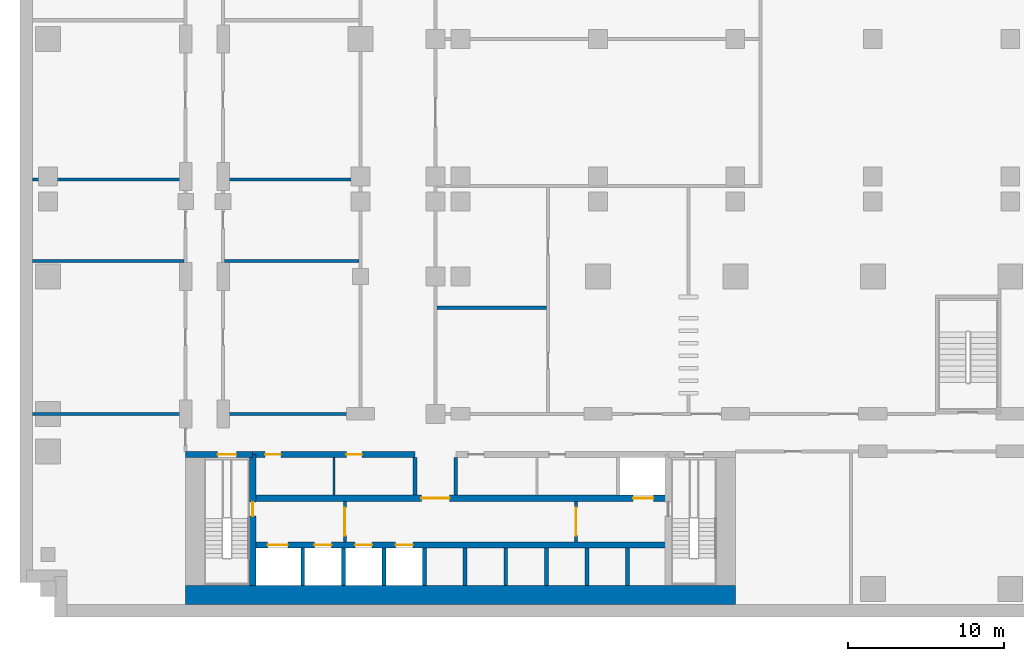
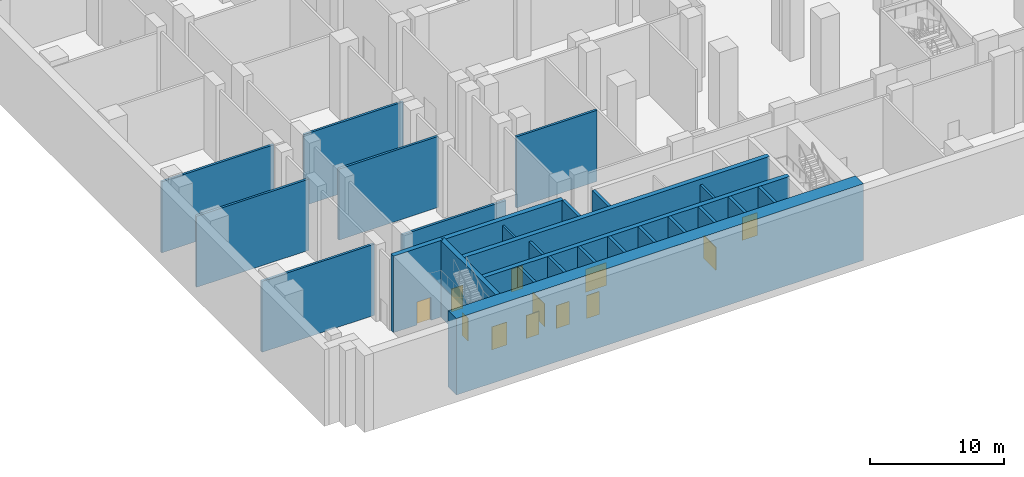
# One storey, part 3 of 15: 27 walls, 12 doors, 12 openings.
"""IFC4 building model written with IfcOpenShell, lengths in metres."""

import ifcopenshell
import ifcopenshell.guid

model = None  # the IFC model being written
_history = None  # IfcOwnerHistory: only IFC2X3 demands one
_inside = {}  # id of a spatial element -> (the spatial element, [elements in it])
_under = {}  # id of a project, library or spatial element -> (it, [spatial elements below it])
_declared = {}  # id of a project -> (the project, [libraries it declares])
_typed = {}  # id of a type object -> (the type object, [elements of that type])
_made_of = {}  # id of a material, layer set ... -> (it, [elements and type objects made of it])


def new_model(schema):
    """Start an empty IFC model of exactly this schema.

    Asked for "IFC4X3", IfcOpenShell would pick the latest addendum, in which some entities
    have other attributes; the version numbers below select the first issue.
    IFC2X3 requires an IfcOwnerHistory on every rooted entity: one is made here for all.
    """
    global model, _history
    if schema == "IFC4X3":
        model = ifcopenshell.file(schema_version=(4, 3, 0, 0))
    else:
        model = ifcopenshell.file(schema=schema)
    _inside.clear()
    _under.clear()
    _declared.clear()
    _typed.clear()
    _made_of.clear()
    _history = None
    if model.schema == "IFC2X3":
        org = make("IfcOrganization", Name="unknown")
        user = make(
            "IfcPersonAndOrganization",
            ThePerson=make("IfcPerson", FamilyName="unknown"),
            TheOrganization=org,
        )
        app = make(
            "IfcApplication",
            ApplicationDeveloper=org,
            Version="unknown",
            ApplicationFullName="unknown",
            ApplicationIdentifier="unknown",
        )
        _history = make(
            "IfcOwnerHistory",
            OwningUser=user,
            OwningApplication=app,
            ChangeAction="ADDED",
            CreationDate=0,
        )
    return model


def make(cls, **values):
    """One entity of the class cls with the attributes given. An attribute that is None is left unset."""
    return model.create_entity(
        cls, **{name: value for name, value in values.items() if value is not None}
    )


def rooted(cls, **values):
    """An entity with a GlobalId (a new one), such as an element, a storey or a relation."""
    return make(cls, GlobalId=ifcopenshell.guid.new(), OwnerHistory=_history, **values)


def si_unit(unit_type, name, prefix=None):
    """IfcSIUnit, for example si_unit("LENGTHUNIT", "METRE", prefix="MILLI")."""
    return make("IfcSIUnit", UnitType=unit_type, Prefix=prefix, Name=name)


def assignment(units):
    """IfcUnitAssignment: the units of a project."""
    return None if units is None else make("IfcUnitAssignment", Units=units)


def point(xyz):
    """IfcCartesianPoint."""
    return None if xyz is None else make("IfcCartesianPoint", Coordinates=xyz)


def direction(xyz):
    """IfcDirection."""
    return None if xyz is None else make("IfcDirection", DirectionRatios=xyz)


def frame(location, z_axis=None, x_axis=None):
    """IfcAxis2Placement3D, a coordinate frame: its origin and axes. An axis left out is left unset."""
    return make(
        "IfcAxis2Placement3D",
        Location=point(location),
        Axis=direction(z_axis),
        RefDirection=direction(x_axis),
    )


def frame_2d(location, x_axis=None):
    """IfcAxis2Placement2D, a coordinate frame in the plane: its origin and x axis."""
    return make(
        "IfcAxis2Placement2D", Location=point(location), RefDirection=direction(x_axis)
    )


def origin():
    """The frame at (0, 0, 0) with its axes left unset."""
    return frame((0.0, 0.0, 0.0))


def place(relative_to, where):
    """IfcLocalPlacement: puts the frame where relative to a parent placement (None: the world)."""
    return make(
        "IfcLocalPlacement", PlacementRelTo=relative_to, RelativePlacement=where
    )


def context(
    kind, dimensions, precision=None, world=None, true_north=None, identifier=None
):
    """IfcGeometricRepresentationContext, for example the 3D "Model" context."""
    return make(
        "IfcGeometricRepresentationContext",
        ContextIdentifier=identifier,
        ContextType=kind,
        CoordinateSpaceDimension=dimensions,
        Precision=precision,
        WorldCoordinateSystem=world,
        TrueNorth=true_north,
    )


def subcontext(parent, identifier, kind, view, scale=None):
    """IfcGeometricRepresentationSubContext, for example "Body" below "Model"."""
    return make(
        "IfcGeometricRepresentationSubContext",
        ContextIdentifier=identifier,
        ContextType=kind,
        ParentContext=parent,
        TargetScale=scale,
        TargetView=view,
    )


def project(units=None, contexts=None):
    """IfcProject with its units and contexts."""
    return rooted(
        "IfcProject",
        Name="project",
        RepresentationContexts=contexts,
        UnitsInContext=assignment(units),
    )


def spatial(cls, under=None, at=None, **own):
    """A site, building, storey or space (cls), placed at a placement, below another one or the project."""
    s = rooted(cls, ObjectPlacement=at, **own)
    if under is not None:
        _under.setdefault(under.id(), (under, []))[1].append(s)
    return s


def profile(cls, at=None, kind="AREA", **sizes):
    """A parametric profile (cls). Its sizes go by their IFC names, for example OverallWidth=200.0."""
    return make(cls, ProfileType=kind, Position=at, **sizes)


def rectangle(**sizes):
    """IfcRectangleProfileDef."""
    return profile("IfcRectangleProfileDef", **sizes)


def extrude(swept, where, along, depth):
    """IfcExtrudedAreaSolid: the profile swept, set in the frame where, extruded along a direction by depth."""
    return make(
        "IfcExtrudedAreaSolid",
        SweptArea=swept,
        Position=where,
        ExtrudedDirection=direction(along),
        Depth=depth,
    )


def shape(context_of_items, identifier, shape_type, items):
    """IfcShapeRepresentation: the items that make up one representation, for example the "Body"."""
    return make(
        "IfcShapeRepresentation",
        ContextOfItems=context_of_items,
        RepresentationIdentifier=identifier,
        RepresentationType=shape_type,
        Items=items,
    )


def material(Name=None, Category=None):
    """IfcMaterial."""
    return make("IfcMaterial", Name=Name, Category=Category)


def layer(
    of_material, thickness, ventilated=None, Name=None, Category=None, Priority=None
):
    """IfcMaterialLayer: one layer of a wall or slab, of a material (None: an air gap)."""
    return make(
        "IfcMaterialLayer",
        Material=of_material,
        LayerThickness=thickness,
        IsVentilated=ventilated,
        Name=Name,
        Category=Category,
        Priority=Priority,
    )


def layer_set(layers, Name=None):
    """IfcMaterialLayerSet."""
    return make("IfcMaterialLayerSet", MaterialLayers=layers, LayerSetName=Name)


def made_of(thing, what):
    """Note that an element or type object is made of a material, layer set ...; save() writes the relation."""
    if what is not None:
        _made_of.setdefault(what.id(), (what, []))[1].append(thing)
    return thing


def type_object(cls, material=None, **own):
    """A type object (cls), such as IfcWallType, which elements share."""
    return made_of(rooted(cls, **own), material)


def element(
    cls,
    number,
    at=None,
    inside=None,
    cuts=None,
    type_object=None,
    material=None,
    context=None,
    identifier="Body",
    shape_type=None,
    held_by="IfcProductDefinitionShape",
    body=None,
    shapes=None,
    **own,
):
    """One element of the class cls, such as IfcWall. Its Tag is "e" and its number.

    at: its placement. inside: the storey or other place that contains it. cuts: it is an
    opening in that element (IfcRelVoidsElement). A single representation is given by context,
    identifier, shape_type and body (its items); several are given by shapes. held_by: the class
    of the entity that holds the representations. save() writes the other relations.
    """
    e = rooted(cls, Tag="e%d" % number, ObjectPlacement=at, **own)
    if body is not None:
        shapes = [shape(context, identifier, shape_type, body)]
    if shapes is not None:
        e.Representation = make(held_by, Representations=shapes)
    if inside is not None:
        _inside.setdefault(inside.id(), (inside, []))[1].append(e)
    if cuts is not None:
        rooted(
            "IfcRelVoidsElement", RelatingBuildingElement=cuts, RelatedOpeningElement=e
        )
    if type_object is not None:
        _typed.setdefault(type_object.id(), (type_object, []))[1].append(e)
    return made_of(e, material)


def fill(opening, filler):
    """IfcRelFillsElement: the door or window that sits in an opening."""
    return rooted(
        "IfcRelFillsElement",
        RelatingOpeningElement=opening,
        RelatedBuildingElement=filler,
    )


def aggregate(whole, parts):
    """IfcRelAggregates: a whole, such as a stair, and the parts it consists of."""
    return rooted("IfcRelAggregates", RelatingObject=whole, RelatedObjects=parts)


def save(model, path):
    """Write the relations noted so far, then the file.

    IfcRelAggregates (storeys below a building ...), IfcRelContainedInSpatialStructure (elements
    in a storey), IfcRelDefinesByType, IfcRelAssociatesMaterial and IfcRelDeclares: one each for
    every whole, place, type object, material and project.
    """
    for whole, parts in _under.values():
        aggregate(whole, parts)
    for where, things in _inside.values():
        rooted(
            "IfcRelContainedInSpatialStructure",
            RelatedElements=things,
            RelatingStructure=where,
        )
    for kind, things in _typed.values():
        rooted("IfcRelDefinesByType", RelatedObjects=things, RelatingType=kind)
    for what, things in _made_of.values():
        rooted("IfcRelAssociatesMaterial", RelatedObjects=things, RelatingMaterial=what)
    for by, libraries in _declared.values():
        rooted("IfcRelDeclares", RelatingContext=by, RelatedDefinitions=libraries)
    model.write(path)


model = new_model("IFC4")

# Units and contexts
model_context = context("Model", 3, precision=1e-05, world=origin(), true_north=direction((0.0, 1.0)))
body_context = subcontext(model_context, "Body", "Model", "MODEL_VIEW")
ifc_project = project(units=[si_unit("LENGTHUNIT", "METRE"), si_unit("AREAUNIT", "SQUARE_METRE"), si_unit("VOLUMEUNIT", "CUBIC_METRE"), si_unit("PLANEANGLEUNIT", "RADIAN"), si_unit("MASSUNIT", "GRAM", prefix="KILO")], contexts=[model_context])

# Site, building, storey
site_placement = place(None, origin())
site = spatial("IfcSite", under=ifc_project, at=site_placement, CompositionType="ELEMENT")
building_placement = place(site_placement, origin())
building = spatial("IfcBuilding", under=site, at=building_placement, Name="Kemantara Hotel Tower", CompositionType="ELEMENT")
storey_placement = place(building_placement, frame((0.0, 0.0, -7.0)))
storey = spatial("IfcBuildingStorey", under=building, at=storey_placement, Name="B1", CompositionType="ELEMENT", Elevation=-7.0)

# Walls
ifc_material_1 = material(Name="Concrete fc 70 MPa", Category="concrete")
ifc_layer_1 = layer(ifc_material_1, 1.199951171875)
ifc_layer_set_1 = layer_set([ifc_layer_1], Name="Concrete fc 70 MPa")
wall_type_1 = type_object("IfcWallType", Name="CORE WALL 1200 FC70", PredefinedType="SHEAR", material=ifc_layer_set_1)
wall_1_placement = place(storey_placement, frame((9.800048828125, 0.60009765625, 0.0), z_axis=(0.0, 0.0, 1.0), x_axis=(1.0, 0.0, 0.0)))
element("IfcWall", 1, at=wall_1_placement, inside=storey, type_object=wall_type_1, Name="CORE WALL CW-S", PredefinedType="SHEAR", context=body_context, shape_type="SweptSolid", body=[
    extrude(rectangle(XDim=35.199951171875, YDim=1.199951171875, at=frame_2d((17.60009765625, 0.0))), origin(), (0.0, 0.0, 1.0), 7.0),
])
ifc_layer_2 = layer(ifc_material_1, 0.25)
ifc_layer_set_2 = layer_set([ifc_layer_2], Name="Concrete fc 70 MPa")
wall_type_2 = type_object("IfcWallType", Name="CORE WALL 250 FC70", PredefinedType="SHEAR", material=ifc_layer_set_2)
for number, where, z_axis, x_axis, name in (
    (2, (17.300048828125, 1.199951171875, 0.0), (0.0, 0.0, 1.0), (0.0, 1.0, 0.0), "CORE WALL CW-DS17.3"),
    (3, (19.89990234375, 1.199951171875, 0.0), (0.0, 0.0, 1.0), (0.0, 1.0, 0.0), "CORE WALL CW-DS19.9"),
    (4, (22.5, 1.199951171875, 0.0), (0.0, 0.0, 1.0), (0.0, 1.0, 0.0), "CORE WALL CW-DS22.5"),
    (5, (25.10009765625, 1.199951171875, 0.0), (0.0, 0.0, 1.0), (0.0, 1.0, 0.0), "CORE WALL CW-DS25.1"),
    (6, (27.699951171875, 1.199951171875, 0.0), (0.0, 0.0, 1.0), (0.0, 1.0, 0.0), "CORE WALL CW-DS27.7"),
    (7, (30.300048828125, 1.199951171875, 0.0), (0.0, 0.0, 1.0), (0.0, 1.0, 0.0), "CORE WALL CW-DS30.3"),
    (8, (32.89990234375, 1.199951171875, 0.0), (0.0, 0.0, 1.0), (0.0, 1.0, 0.0), "CORE WALL CW-DS32.9"),
    (9, (35.5, 1.199951171875, 0.0), (0.0, 0.0, 1.0), (0.0, 1.0, 0.0), "CORE WALL CW-DS35.5"),
    (10, (38.10009765625, 1.199951171875, 0.0), (0.0, 0.0, 1.0), (0.0, 1.0, 0.0), "CORE WALL CW-DS38.1"),
):
    element("IfcWall", number, at=place(storey_placement, frame(where, z_axis=z_axis, x_axis=x_axis)), inside=storey, type_object=wall_type_2, Name=name, PredefinedType="SHEAR", context=body_context, shape_type="SweptSolid", body=[
        extrude(rectangle(XDim=2.400146484375, YDim=0.25, at=frame_2d((1.2001953125, 0.0))), origin(), (0.0, 0.0, 1.0), 7.0),
    ])
for number, where, z_axis, x_axis, name in (
    (11, (24.5, 7.0, 0.0), (0.0, 0.0, 1.0), (0.0, 1.0, 0.0), "CORE WALL CW-DN24.5"),
    (12, (27.10009765625, 7.0, 0.0), (0.0, 0.0, 1.0), (0.0, 1.0, 0.0), "CORE WALL CW-DN27.1"),
):
    element("IfcWall", number, at=place(storey_placement, frame(where, z_axis=z_axis, x_axis=x_axis)), inside=storey, type_object=wall_type_2, Name=name, PredefinedType="SHEAR", context=body_context, shape_type="SweptSolid", body=[
        extrude(rectangle(XDim=2.39990234375, YDim=0.25, at=frame_2d((1.199951171875, 0.0))), origin(), (0.0, 0.0, 1.0), 7.0),
    ])

# Wall, opening, door
ifc_layer_3 = layer(ifc_material_1, 0.39990234375)
ifc_layer_set_3 = layer_set([ifc_layer_3], Name="Concrete fc 70 MPa")
wall_type_3 = type_object("IfcWallType", Name="CORE WALL 400 FC70", PredefinedType="SHEAR", material=ifc_layer_set_3)
wall_2_placement = place(storey_placement, frame((9.800048828125, 9.60009765625, 0.0), z_axis=(0.0, 0.0, 1.0), x_axis=(1.0, 0.0, 0.0)))
wall_2 = element("IfcWall", 13, at=wall_2_placement, inside=storey, type_object=wall_type_3, Name="CORE WALL CW-N1", PredefinedType="SHEAR", context=body_context, shape_type="SweptSolid", body=[
    extrude(rectangle(XDim=4.300048828125, YDim=0.39990234375, at=frame_2d((2.14990234375, 0.0))), origin(), (0.0, 0.0, 1.0), 7.0),
])
opening_1_placement = place(wall_2_placement, frame((2.050048828125, 0.0, 0.0)))
opening_1 = element("IfcOpeningElement", 14, at=opening_1_placement, cuts=wall_2, Name="Opening C02-ST1-C", PredefinedType="OPENING", context=body_context, shape_type="SweptSolid", body=[
    extrude(rectangle(XDim=1.199951171875, YDim=2.10009765625, at=frame_2d((0.60009765625, 1.050048828125))), frame((0.0, 0.2099609375, 0.0), z_axis=(0.0, -1.0, 0.0), x_axis=(1.0, 0.0, 0.0)), (0.0, 0.0, 1.0), 0.419921875),
])
ifc_material_2 = material(Name="Steel fire door", Category="steel")
door_type_1 = type_object("IfcDoorType", Name="Fire door FD90 1200 x 2100", OperationType="NOTDEFINED", PredefinedType="DOOR", material=ifc_material_2)
door_1_placement = place(opening_1_placement, frame((1.199951171875, 0.0, 0.0), z_axis=(0.0, 0.0, 1.0), x_axis=(-1.0, 0.0, 0.0)))
door_1 = element("IfcDoor", 15, at=door_1_placement, inside=storey, type_object=door_type_1, Name="Stair ST1 door to corridor", OperationType="SINGLE_SWING_LEFT", OverallHeight=2.10009765625, OverallWidth=1.199951171875, PredefinedType="DOOR", context=body_context, shape_type="SweptSolid", body=[
    extrude(rectangle(XDim=1.199951171875, YDim=2.10009765625, at=frame_2d((0.60009765625, 1.050048828125))), frame((0.0, 0.02490234375, 0.0), z_axis=(0.0, -1.0, 0.0), x_axis=(1.0, 0.0, 0.0)), (0.0, 0.0, 1.0), 0.050048828125),
])
fill(opening_1, door_1)

# Wall, openings, doors
wall_3_placement = place(storey_placement, frame((14.10009765625, 9.60009765625, 0.0), z_axis=(0.0, 0.0, 1.0), x_axis=(1.0, 0.0, 0.0)))
wall_3 = element("IfcWall", 16, at=wall_3_placement, inside=storey, type_object=wall_type_3, Name="CORE WALL CW-NN1", PredefinedType="SHEAR", context=body_context, shape_type="SweptSolid", body=[
    extrude(rectangle(XDim=10.39990234375, YDim=0.39990234375, at=frame_2d((5.199951171875, 0.0))), origin(), (0.0, 0.0, 1.0), 7.0),
])
opening_2_placement = place(wall_3_placement, frame((0.800048828125, 0.0, 0.0)))
opening_2 = element("IfcOpeningElement", 17, at=opening_2_placement, cuts=wall_3, Name="Opening C02-R-NW1", PredefinedType="OPENING", context=body_context, shape_type="SweptSolid", body=[
    extrude(rectangle(XDim=1.0, YDim=2.10009765625, at=frame_2d((0.5, 1.050048828125))), frame((0.0, 0.2099609375, 0.0), z_axis=(0.0, -1.0, 0.0), x_axis=(1.0, 0.0, 0.0)), (0.0, 0.0, 1.0), 0.419921875),
])
opening_3_placement = place(wall_3_placement, frame((6.0, 0.0, 0.0)))
opening_3 = element("IfcOpeningElement", 18, at=opening_3_placement, cuts=wall_3, Name="Opening C02-R-NW2", PredefinedType="OPENING", context=body_context, shape_type="SweptSolid", body=[
    extrude(rectangle(XDim=1.0, YDim=2.10009765625, at=frame_2d((0.5, 1.050048828125))), frame((0.0, 0.2099609375, 0.0), z_axis=(0.0, -1.0, 0.0), x_axis=(1.0, 0.0, 0.0)), (0.0, 0.0, 1.0), 0.419921875),
])
door_type_2 = type_object("IfcDoorType", Name="Fire door FD30S 1000 x 2100", OperationType="NOTDEFINED", PredefinedType="DOOR", material=ifc_material_2)
door_2_placement = place(opening_3_placement, frame((1.0, 0.0, 0.0), z_axis=(0.0, 0.0, 1.0), x_axis=(-1.0, 0.0, 0.0)))
door_2 = element("IfcDoor", 19, at=door_2_placement, inside=storey, type_object=door_type_2, Name="Linen Store door", OperationType="SINGLE_SWING_LEFT", OverallHeight=2.10009765625, OverallWidth=1.0, PredefinedType="DOOR", context=body_context, shape_type="SweptSolid", body=[
    extrude(rectangle(XDim=1.0, YDim=2.10009765625, at=frame_2d((0.5, 1.050048828125))), frame((0.0, 0.02490234375, 0.0), z_axis=(0.0, -1.0, 0.0), x_axis=(1.0, 0.0, 0.0)), (0.0, 0.0, 1.0), 0.050048828125),
])
fill(opening_3, door_2)
door_type_3 = type_object("IfcDoorType", Name="Fire door FD60 1000 x 2100", OperationType="NOTDEFINED", PredefinedType="DOOR", material=ifc_material_2)
door_3_placement = place(opening_2_placement, frame((1.0, 0.0, 0.0), z_axis=(0.0, 0.0, 1.0), x_axis=(-1.0, 0.0, 0.0)))
door_3 = element("IfcDoor", 20, at=door_3_placement, inside=storey, type_object=door_type_3, Name="Lv Switch Room door", OperationType="SINGLE_SWING_RIGHT", OverallHeight=2.10009765625, OverallWidth=1.0, PredefinedType="DOOR", context=body_context, shape_type="SweptSolid", body=[
    extrude(rectangle(XDim=1.0, YDim=2.10009765625, at=frame_2d((0.5, 1.050048828125))), frame((0.0, 0.02490234375, 0.0), z_axis=(0.0, -1.0, 0.0), x_axis=(1.0, 0.0, 0.0)), (0.0, 0.0, 1.0), 0.050048828125),
])
fill(opening_2, door_3)

wall_4_placement = place(storey_placement, frame((14.10009765625, 3.800048828125, 0.0), z_axis=(0.0, 0.0, 1.0), x_axis=(1.0, 0.0, 0.0)))
wall_4 = element("IfcWall", 21, at=wall_4_placement, inside=storey, type_object=wall_type_3, Name="CORE WALL CW-L1", PredefinedType="SHEAR", context=body_context, shape_type="SweptSolid", body=[
    extrude(rectangle(XDim=26.599853515625, YDim=0.39990234375, at=frame_2d((13.2998046875, 0.0))), origin(), (0.0, 0.0, 1.0), 7.0),
])
opening_4_placement = place(wall_4_placement, frame((0.949951171875, 0.0, 0.0)))
opening_4 = element("IfcOpeningElement", 22, at=opening_4_placement, cuts=wall_4, Name="Opening C02-LD-FF1", PredefinedType="OPENING", context=body_context, shape_type="SweptSolid", body=[
    extrude(rectangle(XDim=1.300048828125, YDim=2.10009765625, at=frame_2d((0.64990234375, 1.050048828125))), frame((0.0, 0.2099609375, 0.0), z_axis=(0.0, -1.0, 0.0), x_axis=(1.0, 0.0, 0.0)), (0.0, 0.0, 1.0), 0.419921875),
])
opening_5_placement = place(wall_4_placement, frame((3.949951171875, 0.0, 0.0)))
opening_5 = element("IfcOpeningElement", 23, at=opening_5_placement, cuts=wall_4, Name="Opening C02-LD-SV1", PredefinedType="OPENING", context=body_context, shape_type="SweptSolid", body=[
    extrude(rectangle(XDim=1.10009765625, YDim=2.10009765625, at=frame_2d((0.550048828125, 1.050048828125))), frame((0.0, 0.2099609375, 0.0), z_axis=(0.0, -1.0, 0.0), x_axis=(1.0, 0.0, 0.0)), (0.0, 0.0, 1.0), 0.419921875),
])
opening_6_placement = place(wall_4_placement, frame((6.550048828125, 0.0, 0.0)))
opening_6 = element("IfcOpeningElement", 24, at=opening_6_placement, cuts=wall_4, Name="Opening C02-LD-SV2", PredefinedType="OPENING", context=body_context, shape_type="SweptSolid", body=[
    extrude(rectangle(XDim=1.10009765625, YDim=2.10009765625, at=frame_2d((0.550048828125, 1.050048828125))), frame((0.0, 0.2099609375, 0.0), z_axis=(0.0, -1.0, 0.0), x_axis=(1.0, 0.0, 0.0)), (0.0, 0.0, 1.0), 0.419921875),
])
opening_7_placement = place(wall_4_placement, frame((9.14990234375, 0.0, 0.0)))
opening_7 = element("IfcOpeningElement", 25, at=opening_7_placement, cuts=wall_4, Name="Opening C02-LD-SV3", PredefinedType="OPENING", context=body_context, shape_type="SweptSolid", body=[
    extrude(rectangle(XDim=1.10009765625, YDim=2.10009765625, at=frame_2d((0.550048828125, 1.050048828125))), frame((0.0, 0.2099609375, 0.0), z_axis=(0.0, -1.0, 0.0), x_axis=(1.0, 0.0, 0.0)), (0.0, 0.0, 1.0), 0.419921875),
])
ifc_material_3 = material(Name="Stainless steel lift door", Category="steel")
door_type_4 = type_object("IfcDoorType", Name="Lift landing door 1100 x 2100 FD60", OperationType="DOUBLE_DOOR_SLIDING", PredefinedType="DOOR", material=ifc_material_3)
door_4_placement = place(opening_5_placement, origin())
door_4 = element("IfcDoor", 26, at=door_4_placement, inside=storey, type_object=door_type_4, Name="Lift SV1 landing door", OperationType="DOUBLE_DOOR_SLIDING", OverallHeight=2.10009765625, OverallWidth=1.10009765625, PredefinedType="DOOR", context=body_context, shape_type="SweptSolid", body=[
    extrude(rectangle(XDim=1.10009765625, YDim=2.10009765625, at=frame_2d((0.550048828125, 1.050048828125))), frame((0.0, 0.02490234375, 0.0), z_axis=(0.0, -1.0, 0.0), x_axis=(1.0, 0.0, 0.0)), (0.0, 0.0, 1.0), 0.050048828125),
])
fill(opening_5, door_4)
door_5_placement = place(opening_6_placement, origin())
door_5 = element("IfcDoor", 27, at=door_5_placement, inside=storey, type_object=door_type_4, Name="Lift SV2 landing door", OperationType="DOUBLE_DOOR_SLIDING", OverallHeight=2.10009765625, OverallWidth=1.10009765625, PredefinedType="DOOR", context=body_context, shape_type="SweptSolid", body=[
    extrude(rectangle(XDim=1.10009765625, YDim=2.10009765625, at=frame_2d((0.550048828125, 1.050048828125))), frame((0.0, 0.02490234375, 0.0), z_axis=(0.0, -1.0, 0.0), x_axis=(1.0, 0.0, 0.0)), (0.0, 0.0, 1.0), 0.050048828125),
])
fill(opening_6, door_5)
door_6_placement = place(opening_7_placement, origin())
door_6 = element("IfcDoor", 28, at=door_6_placement, inside=storey, type_object=door_type_4, Name="Lift SV3 landing door", OperationType="DOUBLE_DOOR_SLIDING", OverallHeight=2.10009765625, OverallWidth=1.10009765625, PredefinedType="DOOR", context=body_context, shape_type="SweptSolid", body=[
    extrude(rectangle(XDim=1.10009765625, YDim=2.10009765625, at=frame_2d((0.550048828125, 1.050048828125))), frame((0.0, 0.02490234375, 0.0), z_axis=(0.0, -1.0, 0.0), x_axis=(1.0, 0.0, 0.0)), (0.0, 0.0, 1.0), 0.050048828125),
])
fill(opening_7, door_6)
door_type_5 = type_object("IfcDoorType", Name="Lift landing door 1300 x 2100 FD90", OperationType="DOUBLE_DOOR_SLIDING", PredefinedType="DOOR", material=ifc_material_3)
door_7_placement = place(opening_4_placement, origin())
door_7 = element("IfcDoor", 29, at=door_7_placement, inside=storey, type_object=door_type_5, Name="Lift FF1 landing door", OperationType="DOUBLE_DOOR_SLIDING", OverallHeight=2.10009765625, OverallWidth=1.300048828125, PredefinedType="DOOR", context=body_context, shape_type="SweptSolid", body=[
    extrude(rectangle(XDim=1.300048828125, YDim=2.10009765625, at=frame_2d((0.64990234375, 1.050048828125))), frame((0.0, 0.02490234375, 0.0), z_axis=(0.0, -1.0, 0.0), x_axis=(1.0, 0.0, 0.0)), (0.0, 0.0, 1.0), 0.050048828125),
])
fill(opening_4, door_7)

wall_5_placement = place(storey_placement, frame((14.10009765625, 6.800048828125, 0.0), z_axis=(0.0, 0.0, 1.0), x_axis=(1.0, 0.0, 0.0)))
wall_5 = element("IfcWall", 30, at=wall_5_placement, inside=storey, type_object=wall_type_3, Name="CORE WALL CW-L2", PredefinedType="SHEAR", context=body_context, shape_type="SweptSolid", body=[
    extrude(rectangle(XDim=26.599853515625, YDim=0.39990234375, at=frame_2d((13.2998046875, 0.0))), origin(), (0.0, 0.0, 1.0), 7.0),
])
opening_8_placement = place(wall_5_placement, frame((10.800048828125, 0.0, 0.0)))
opening_8 = element("IfcOpeningElement", 31, at=opening_8_placement, cuts=wall_5, Name="Opening C02-VL", PredefinedType="OPENING", context=body_context, shape_type="SweptSolid", body=[
    extrude(rectangle(XDim=1.800048828125, YDim=2.10009765625, at=frame_2d((0.89990234375, 1.050048828125))), frame((0.0, 0.2099609375, 0.0), z_axis=(0.0, -1.0, 0.0), x_axis=(1.0, 0.0, 0.0)), (0.0, 0.0, 1.0), 0.419921875),
])
opening_9_placement = place(wall_5_placement, frame((24.35009765625, 0.0, 0.0)))
opening_9 = element("IfcOpeningElement", 32, at=opening_9_placement, cuts=wall_5, Name="Opening C02-LD-FF2", PredefinedType="OPENING", context=body_context, shape_type="SweptSolid", body=[
    extrude(rectangle(XDim=1.300048828125, YDim=2.10009765625, at=frame_2d((0.64990234375, 1.050048828125))), frame((0.0, 0.2099609375, 0.0), z_axis=(0.0, -1.0, 0.0), x_axis=(1.0, 0.0, 0.0)), (0.0, 0.0, 1.0), 0.419921875),
])
door_type_6 = type_object("IfcDoorType", Name="Fire door pair FD60 1800 x 2100", OperationType="DOUBLE_DOOR_SINGLE_SWING", PredefinedType="DOOR", material=ifc_material_2)
door_8_placement = place(opening_8_placement, frame((1.800048828125, 0.0, 0.0), z_axis=(0.0, 0.0, 1.0), x_axis=(-1.0, 0.0, 0.0)))
door_8 = element("IfcDoor", 33, at=door_8_placement, inside=storey, type_object=door_type_6, Name="Lift lobby entry door", OperationType="DOUBLE_DOOR_SINGLE_SWING", OverallHeight=2.10009765625, OverallWidth=1.800048828125, PredefinedType="DOOR", context=body_context, shape_type="SweptSolid", body=[
    extrude(rectangle(XDim=1.800048828125, YDim=2.10009765625, at=frame_2d((0.89990234375, 1.050048828125))), frame((0.0, 0.02490234375, 0.0), z_axis=(0.0, -1.0, 0.0), x_axis=(1.0, 0.0, 0.0)), (0.0, 0.0, 1.0), 0.050048828125),
])
fill(opening_8, door_8)
door_9_placement = place(opening_9_placement, origin())
door_9 = element("IfcDoor", 34, at=door_9_placement, inside=storey, type_object=door_type_5, Name="Lift FF2 landing door", OperationType="DOUBLE_DOOR_SLIDING", OverallHeight=2.10009765625, OverallWidth=1.300048828125, PredefinedType="DOOR", context=body_context, shape_type="SweptSolid", body=[
    extrude(rectangle(XDim=1.300048828125, YDim=2.10009765625, at=frame_2d((0.64990234375, 1.050048828125))), frame((0.0, 0.02490234375, 0.0), z_axis=(0.0, -1.0, 0.0), x_axis=(1.0, 0.0, 0.0)), (0.0, 0.0, 1.0), 0.050048828125),
])
fill(opening_9, door_9)

# Wall, opening, door
wall_6_placement = place(storey_placement, frame((14.10009765625, 1.199951171875, 0.0), z_axis=(0.0, 0.0, 1.0), x_axis=(0.0, 1.0, 0.0)))
wall_6 = element("IfcWall", 35, at=wall_6_placement, inside=storey, type_object=wall_type_3, Name="CORE WALL CW-ST1E", PredefinedType="SHEAR", context=body_context, shape_type="SweptSolid", body=[
    extrude(rectangle(XDim=8.400146484375, YDim=0.39990234375, at=frame_2d((4.2001953125, 0.0))), origin(), (0.0, 0.0, 1.0), 7.0),
])
opening_10_placement = place(wall_6_placement, frame((4.449951171875, 0.0, 0.0)))
opening_10 = element("IfcOpeningElement", 36, at=opening_10_placement, cuts=wall_6, Name="Opening C02-ST1-F", PredefinedType="OPENING", context=body_context, shape_type="SweptSolid", body=[
    extrude(rectangle(XDim=0.89990234375, YDim=2.10009765625, at=frame_2d((0.449951171875, 1.050048828125))), frame((0.0, 0.2099609375, 0.0), z_axis=(0.0, -1.0, 0.0), x_axis=(1.0, 0.0, 0.0)), (0.0, 0.0, 1.0), 0.419921875),
])
door_type_7 = type_object("IfcDoorType", Name="Fire door FD90 900 x 2100", OperationType="NOTDEFINED", PredefinedType="DOOR", material=ifc_material_2)
door_10_placement = place(opening_10_placement, origin())
door_10 = element("IfcDoor", 37, at=door_10_placement, inside=storey, type_object=door_type_7, Name="Stair ST1 door to firefighting lobby", OperationType="SINGLE_SWING_RIGHT", OverallHeight=2.10009765625, OverallWidth=0.89990234375, PredefinedType="DOOR", context=body_context, shape_type="SweptSolid", body=[
    extrude(rectangle(XDim=0.89990234375, YDim=2.10009765625, at=frame_2d((0.449951171875, 1.050048828125))), frame((0.0, 0.02490234375, 0.0), z_axis=(0.0, -1.0, 0.0), x_axis=(1.0, 0.0, 0.0)), (0.0, 0.0, 1.0), 0.050048828125),
])
fill(opening_10, door_10)

# Walls
ifc_material_4 = material(Name="Fire-rated gypsum board partition")
ifc_layer_4 = layer(ifc_material_4, 0.199951171875)
ifc_layer_set_4 = layer_set([ifc_layer_4], Name="Fire-rated gypsum board partition")
wall_type_4 = type_object("IfcWallType", Name="FIRE-RATED GYPSUM PARTITION 200 EI 60", PredefinedType="PARTITIONING", material=ifc_layer_set_4)
wall_7_placement = place(storey_placement, frame((12.10009765625, 12.199951171875, 0.0), z_axis=(0.0, 0.0, 1.0), x_axis=(1.0, 0.0, 0.0)))
element("IfcWall", 38, at=wall_7_placement, inside=storey, type_object=wall_type_4, Name="FIRE-RATED PARTITION", PredefinedType="PARTITIONING", context=body_context, shape_type="SweptSolid", body=[
    extrude(rectangle(XDim=9.0, YDim=0.199951171875, at=frame_2d((4.5, 0.0))), origin(), (0.0, 0.0, 1.0), 6.5),
])
ifc_material_5 = material(Name="Gypsum board partition")
ifc_layer_5 = layer(ifc_material_5, 0.199951171875)
ifc_layer_set_5 = layer_set([ifc_layer_5], Name="Gypsum board partition")
wall_type_5 = type_object("IfcWallType", Name="GYPSUM BOARD PARTITION 200", PredefinedType="PARTITIONING", material=ifc_layer_set_5)
for number, where, z_axis, x_axis, name in (
    (39, (0.0, 12.199951171875, 0.0), (0.0, 0.0, 1.0), (1.0, 0.0, 0.0), "PARTITION"),
    (40, (0.0, 22.0, 0.0), (0.0, 0.0, 1.0), (1.0, 0.0, 0.0), "PARTITION"),
):
    element("IfcWall", number, at=place(storey_placement, frame(where, z_axis=z_axis, x_axis=x_axis)), inside=storey, type_object=wall_type_5, Name=name, PredefinedType="PARTITIONING", context=body_context, shape_type="SweptSolid", body=[
        extrude(rectangle(XDim=9.699951171875, YDim=0.199951171875, at=frame_2d((4.85009765625, 0.0))), origin(), (0.0, 0.0, 1.0), 6.5),
    ])
wall_8_placement = place(storey_placement, frame((12.300048828125, 22.0, 0.0), z_axis=(0.0, 0.0, 1.0), x_axis=(1.0, 0.0, 0.0)))
element("IfcWall", 41, at=wall_8_placement, inside=storey, type_object=wall_type_5, Name="PARTITION", PredefinedType="PARTITIONING", context=body_context, shape_type="SweptSolid", body=[
    extrude(rectangle(XDim=8.599853515625, YDim=0.199951171875, at=frame_2d((4.2998046875, 0.0))), origin(), (0.0, 0.0, 1.0), 6.5),
])
wall_9_placement = place(storey_placement, frame((0.0, 27.199951171875, 0.0), z_axis=(0.0, 0.0, 1.0), x_axis=(1.0, 0.0, 0.0)))
element("IfcWall", 42, at=wall_9_placement, inside=storey, type_object=wall_type_5, Name="PARTITION", PredefinedType="PARTITIONING", context=body_context, shape_type="SweptSolid", body=[
    extrude(rectangle(XDim=9.699951171875, YDim=0.199951171875, at=frame_2d((4.85009765625, 0.0))), origin(), (0.0, 0.0, 1.0), 6.5),
])
wall_10_placement = place(storey_placement, frame((12.300048828125, 27.199951171875, 0.0), z_axis=(0.0, 0.0, 1.0), x_axis=(1.0, 0.0, 0.0)))
element("IfcWall", 43, at=wall_10_placement, inside=storey, type_object=wall_type_5, Name="PARTITION", PredefinedType="PARTITIONING", context=body_context, shape_type="SweptSolid", body=[
    extrude(rectangle(XDim=8.599853515625, YDim=0.199951171875, at=frame_2d((4.2998046875, 0.0))), origin(), (0.0, 0.0, 1.0), 6.5),
])
wall_11_placement = place(storey_placement, frame((25.89990234375, 19.0, 0.0), z_axis=(0.0, 0.0, 1.0), x_axis=(1.0, 0.0, 0.0)))
element("IfcWall", 44, at=wall_11_placement, inside=storey, type_object=wall_type_5, Name="PARTITION", PredefinedType="PARTITIONING", context=body_context, shape_type="SweptSolid", body=[
    extrude(rectangle(XDim=7.0, YDim=0.199951171875, at=frame_2d((3.5, 0.0))), origin(), (0.0, 0.0, 1.0), 6.5),
])
ifc_layer_6 = layer(ifc_material_5, 0.14990234375)
ifc_layer_set_6 = layer_set([ifc_layer_6], Name="Gypsum board partition")
wall_type_6 = type_object("IfcWallType", Name="Gypsum board partition 150 mm", PredefinedType="PARTITIONING", material=ifc_layer_set_6)
wall_12_placement = place(storey_placement, frame((19.300048828125, 7.0, 0.0), z_axis=(0.0, 0.0, 1.0), x_axis=(0.0, 1.0, 0.0)))
element("IfcWall", 45, at=wall_12_placement, inside=storey, type_object=wall_type_6, Name="Core room partition", PredefinedType="PARTITIONING", context=body_context, shape_type="SweptSolid", body=[
    extrude(rectangle(XDim=2.39990234375, YDim=0.14990234375, at=frame_2d((1.199951171875, 0.0))), origin(), (0.0, 0.0, 1.0), 6.5),
])

# Wall, opening, door
ifc_material_6 = material(Name="Gypsum board shaft wall")
ifc_layer_7 = layer(ifc_material_6, 0.199951171875)
ifc_layer_set_7 = layer_set([ifc_layer_7], Name="Gypsum board shaft wall")
wall_type_7 = type_object("IfcWallType", Name="Gypsum board shaft wall 200 mm", PredefinedType="PARTITIONING", material=ifc_layer_set_7)
wall_13_placement = place(storey_placement, frame((20.0, 4.0, 0.0), z_axis=(0.0, 0.0, 1.0), x_axis=(0.0, 1.0, 0.0)))
wall_13 = element("IfcWall", 46, at=wall_13_placement, inside=storey, type_object=wall_type_7, Name="Firefighting lobby partition west", PredefinedType="PARTITIONING", context=body_context, shape_type="SweptSolid", body=[
    extrude(rectangle(XDim=2.60009765625, YDim=0.199951171875, at=frame_2d((1.300048828125, 0.0))), origin(), (0.0, 0.0, 1.0), 6.5),
])
opening_11_placement = place(wall_13_placement, frame((0.39990234375, 0.0, 0.0)))
opening_11 = element("IfcOpeningElement", 47, at=opening_11_placement, cuts=wall_13, Name="Opening C02-FFW", PredefinedType="OPENING", context=body_context, shape_type="SweptSolid", body=[
    extrude(rectangle(XDim=1.800048828125, YDim=2.10009765625, at=frame_2d((0.89990234375, 1.050048828125))), frame((0.0, 0.10986328125, 0.0), z_axis=(0.0, -1.0, 0.0), x_axis=(1.0, 0.0, 0.0)), (0.0, 0.0, 1.0), 0.219970703125),
])
door_11_placement = place(opening_11_placement, origin())
door_11 = element("IfcDoor", 48, at=door_11_placement, inside=storey, type_object=door_type_6, Name="Firefighting lobby door west", OperationType="DOUBLE_DOOR_SINGLE_SWING", OverallHeight=2.10009765625, OverallWidth=1.800048828125, PredefinedType="DOOR", context=body_context, shape_type="SweptSolid", body=[
    extrude(rectangle(XDim=1.800048828125, YDim=2.10009765625, at=frame_2d((0.89990234375, 1.050048828125))), frame((0.0, 0.02490234375, 0.0), z_axis=(0.0, -1.0, 0.0), x_axis=(1.0, 0.0, 0.0)), (0.0, 0.0, 1.0), 0.050048828125),
])
fill(opening_11, door_11)

wall_14_placement = place(storey_placement, frame((34.800048828125, 4.0, 0.0), z_axis=(0.0, 0.0, 1.0), x_axis=(0.0, 1.0, 0.0)))
wall_14 = element("IfcWall", 49, at=wall_14_placement, inside=storey, type_object=wall_type_7, Name="Firefighting lobby partition east", PredefinedType="PARTITIONING", context=body_context, shape_type="SweptSolid", body=[
    extrude(rectangle(XDim=2.60009765625, YDim=0.199951171875, at=frame_2d((1.300048828125, 0.0))), origin(), (0.0, 0.0, 1.0), 6.5),
])
opening_12_placement = place(wall_14_placement, frame((0.39990234375, 0.0, 0.0)))
opening_12 = element("IfcOpeningElement", 50, at=opening_12_placement, cuts=wall_14, Name="Opening C02-FFE", PredefinedType="OPENING", context=body_context, shape_type="SweptSolid", body=[
    extrude(rectangle(XDim=1.800048828125, YDim=2.10009765625, at=frame_2d((0.89990234375, 1.050048828125))), frame((0.0, 0.10986328125, 0.0), z_axis=(0.0, -1.0, 0.0), x_axis=(1.0, 0.0, 0.0)), (0.0, 0.0, 1.0), 0.219970703125),
])
door_12_placement = place(opening_12_placement, frame((1.800048828125, 0.0, 0.0), z_axis=(0.0, 0.0, 1.0), x_axis=(-1.0, 0.0, 0.0)))
door_12 = element("IfcDoor", 51, at=door_12_placement, inside=storey, type_object=door_type_6, Name="Firefighting lobby door east", OperationType="DOUBLE_DOOR_SINGLE_SWING", OverallHeight=2.10009765625, OverallWidth=1.800048828125, PredefinedType="DOOR", context=body_context, shape_type="SweptSolid", body=[
    extrude(rectangle(XDim=1.800048828125, YDim=2.10009765625, at=frame_2d((0.89990234375, 1.050048828125))), frame((0.0, 0.02490234375, 0.0), z_axis=(0.0, -1.0, 0.0), x_axis=(1.0, 0.0, 0.0)), (0.0, 0.0, 1.0), 0.050048828125),
])
fill(opening_12, door_12)

save(model, "model.ifc")
